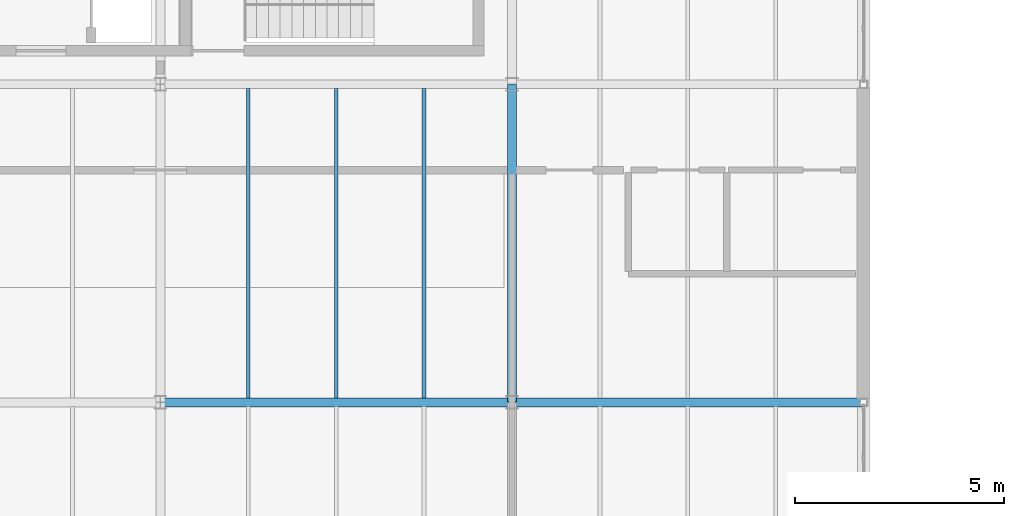
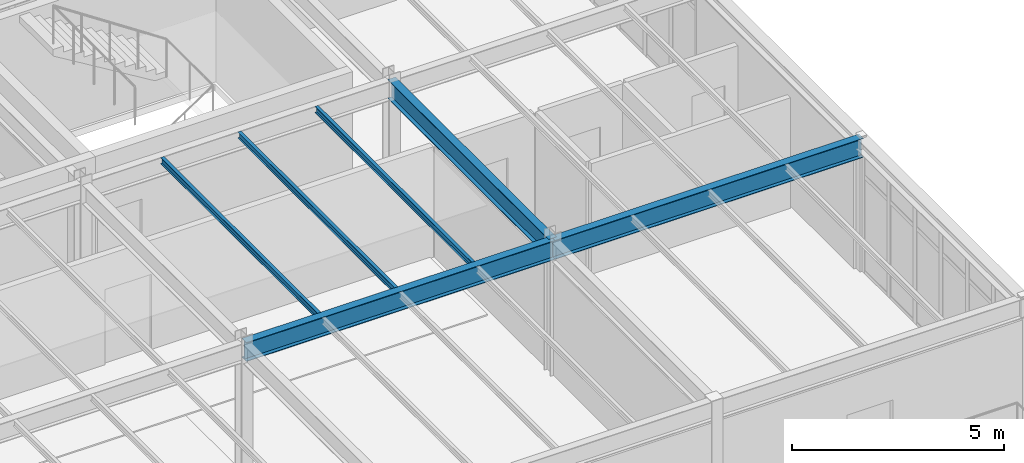
# One storey, part 23 of 65: 6 beams.
"""IFC4 building model written with IfcOpenShell, lengths in metres."""

from ifc_helpers import new_model, si_unit, direction, frame, origin, origin_2d, place, context, subcontext, project, spatial, i_section, extrude, material, material_profile, profile_set, type_object, element, save


model = new_model("IFC4")

# Units and contexts
model_context = context("Model", 3, precision=1e-05, world=origin(), true_north=direction((0.0, 1.0)))
body_context = subcontext(model_context, "Body", "Model", "MODEL_VIEW")
ifc_project = project(units=[si_unit("LENGTHUNIT", "METRE"), si_unit("AREAUNIT", "SQUARE_METRE"), si_unit("VOLUMEUNIT", "CUBIC_METRE"), si_unit("PLANEANGLEUNIT", "RADIAN"), si_unit("MASSUNIT", "GRAM", prefix="KILO")], contexts=[model_context])

# Site, building, storey
site_placement = place(None, origin())
site = spatial("IfcSite", under=ifc_project, at=site_placement, CompositionType="ELEMENT")
building_placement = place(site_placement, origin())
building = spatial("IfcBuilding", under=site, at=building_placement, Name="Montecoro Central Library", CompositionType="ELEMENT")
storey_placement = place(building_placement, frame((0.0, 0.0, 17.340087890625)))
storey = spatial("IfcBuildingStorey", under=building, at=storey_placement, Name="L04", CompositionType="ELEMENT", Elevation=17.340087890625)

# Beams
ifc_material_1 = material(Name="Steel S355J2", Category="steel")
ifc_material_profile_1 = material_profile(ifc_material_1, i_section(OverallWidth=0.2099609375, OverallDepth=0.550048828125, WebThickness=0.010986328125, FlangeThickness=0.01708984375, at=origin_2d()), Name="IPE 550")
ifc_profile_set_1 = profile_set([ifc_material_profile_1], Name="Steel S355J2")
beam_type_1 = type_object("IfcBeamType", Name="BM-G-IPE550", PredefinedType="USERDEFINED", material=ifc_profile_set_1)
beam_1_placement = place(storey_placement, frame((100.0048828125, 103.800048828125, 3.5498046875), z_axis=(1.0, 0.0, 0.0), x_axis=(0.0, 1.0, 0.0)))
element("IfcBeam", 1, at=beam_1_placement, inside=storey, type_object=beam_type_1, Name="V2-L04-BX-1314-P", ObjectType="GIRDER", PredefinedType="USERDEFINED", context=body_context, shape_type="SweptSolid", body=[
    extrude(i_section(OverallWidth=0.2099609375, OverallDepth=0.550048828125, WebThickness=0.010986328125, FlangeThickness=0.01708984375, at=origin_2d()), origin(), (0.0, 0.0, 1.0), 8.39013671875),
])
beam_2_placement = place(storey_placement, frame((108.405029296875, 103.800048828125, 3.5498046875), z_axis=(1.0, 0.0, 0.0), x_axis=(0.0, 1.0, 0.0)))
element("IfcBeam", 2, at=beam_2_placement, inside=storey, type_object=beam_type_1, Name="V2-L04-BX-1415-P", ObjectType="GIRDER", PredefinedType="USERDEFINED", context=body_context, shape_type="SweptSolid", body=[
    extrude(i_section(OverallWidth=0.2099609375, OverallDepth=0.550048828125, WebThickness=0.010986328125, FlangeThickness=0.01708984375, at=origin_2d()), origin(), (0.0, 0.0, 1.0), 8.389892578125),
])
beam_3_placement = place(storey_placement, frame((108.39990234375, 103.804931640625, 3.5498046875), z_axis=(0.0, 1.0, 0.0), x_axis=(-1.0, 0.0, 0.0)))
element("IfcBeam", 3, at=beam_3_placement, inside=storey, type_object=beam_type_1, Name="V2-L04-BY-14-PQ", ObjectType="GIRDER", PredefinedType="USERDEFINED", context=body_context, shape_type="SweptSolid", body=[
    extrude(i_section(OverallWidth=0.2099609375, OverallDepth=0.550048828125, WebThickness=0.010986328125, FlangeThickness=0.01708984375, at=origin_2d()), origin(), (0.0, 0.0, 1.0), 7.590087890625),
])
ifc_material_2 = material(Name="Steel S355", Category="steel")
ifc_material_profile_2 = material_profile(ifc_material_2, i_section(OverallWidth=0.091064453125, OverallDepth=0.179931640625, WebThickness=0.00537109375, FlangeThickness=0.008056640625, at=origin_2d()), Name="IPE 180")
ifc_profile_set_2 = profile_set([ifc_material_profile_2], Name="Steel S355")
beam_type_2 = type_object("IfcBeamType", Name="BM-J-IPE180", PredefinedType="JOIST", material=ifc_profile_set_2)
for number, where, z_axis, x_axis, name in (
    (4, (102.10009765625, 103.902099609375, 3.73486328125), (0.0, 1.0, 0.0), (-1.0, 0.0, 0.0), "V2-L04-JS-1314-PQ-1"),
    (5, (104.199951171875, 103.902099609375, 3.73486328125), (0.0, 1.0, 0.0), (-1.0, 0.0, 0.0), "V2-L04-JS-1314-PQ-2"),
    (6, (106.300048828125, 103.902099609375, 3.73486328125), (0.0, 1.0, 0.0), (-1.0, 0.0, 0.0), "V2-L04-JS-1314-PQ-3"),
):
    element("IfcBeam", number, at=place(storey_placement, frame(where, z_axis=z_axis, x_axis=x_axis)), inside=storey, type_object=beam_type_2, Name=name, PredefinedType="JOIST", context=body_context, shape_type="SweptSolid", body=[
        extrude(i_section(OverallWidth=0.091064453125, OverallDepth=0.179931640625, WebThickness=0.00537109375, FlangeThickness=0.008056640625, at=origin_2d()), origin(), (0.0, 0.0, 1.0), 7.39599609375),
    ])

save(model, "model.ifc")
